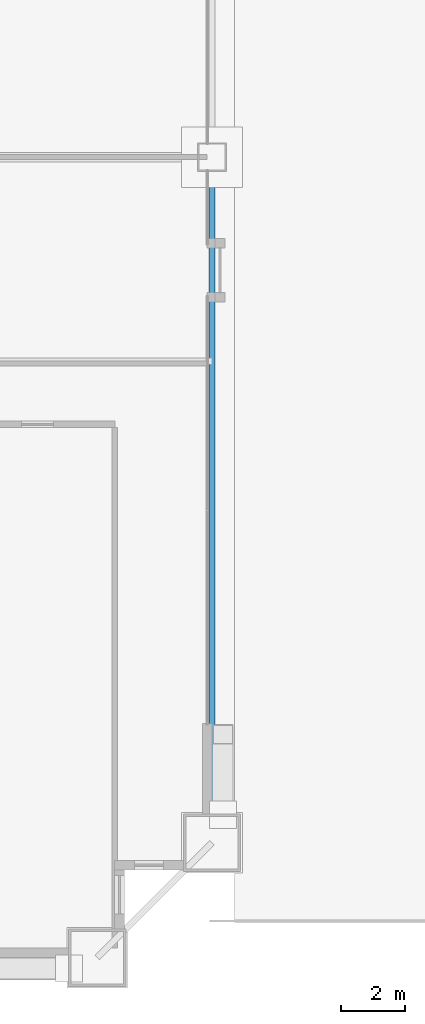
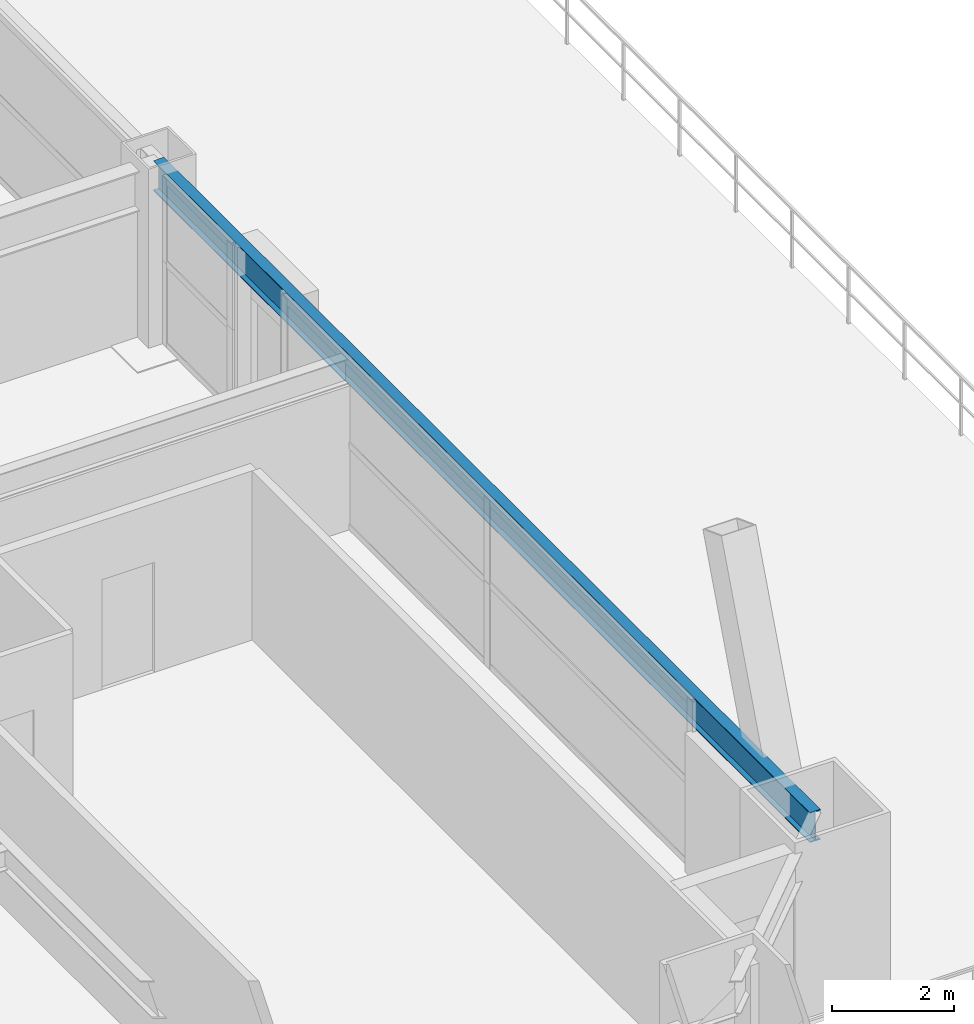
# One storey, part 16 of 45: 1 beam.
"""IFC4 building model written with IfcOpenShell, lengths in metres."""

from ifc_helpers import new_model, si_unit, direction, frame, origin, origin_2d, place, context, subcontext, project, spatial, i_section, extrude, source, transform, mapped, material, material_profile, profile_set, type_object, element, save


model = new_model("IFC4")

# Units and contexts
model_context = context("Model", 3, precision=1e-05, world=origin(), true_north=direction((0.0, 1.0)))
body_context = subcontext(model_context, "Body", "Model", "MODEL_VIEW")
ifc_project = project(units=[si_unit("LENGTHUNIT", "METRE"), si_unit("AREAUNIT", "SQUARE_METRE"), si_unit("VOLUMEUNIT", "CUBIC_METRE"), si_unit("PLANEANGLEUNIT", "RADIAN"), si_unit("MASSUNIT", "GRAM", prefix="KILO"), si_unit("THERMODYNAMICTEMPERATUREUNIT", "KELVIN"), si_unit("POWERUNIT", "WATT")], contexts=[model_context])

# Site, building, storey
site_placement = place(None, origin())
site = spatial("IfcSite", under=ifc_project, at=site_placement, CompositionType="ELEMENT")
building_placement = place(site_placement, origin())
building = spatial("IfcBuilding", under=site, at=building_placement, Name="Yuzanri Waterfront Tower", CompositionType="ELEMENT")
storey_placement = place(building_placement, frame((0.0, 0.0, 30.60009765625)))
storey = spatial("IfcBuildingStorey", under=building, at=storey_placement, Name="L07", CompositionType="ELEMENT", Elevation=30.60009765625)

# Beam
ifc_material = material(Name="Steel Q355B", Category="steel")
ifc_material_profile = material_profile(ifc_material, i_section(OverallWidth=0.199951171875, OverallDepth=0.60009765625, WebThickness=0.010986328125, FlangeThickness=0.01708984375, at=origin_2d()), Name="HN 600x200x11x17")
ifc_profile_set = profile_set([ifc_material_profile], Name="Steel Q355B")
beam_type = type_object("IfcBeamType", Name="Perimeter Spandrel Q355B HN 600x200", PredefinedType="SPANDREL", material=ifc_profile_set)
shared_shape = source(origin(), body_context, "Body", "SweptSolid", [
    extrude(i_section(OverallWidth=0.199951171875, OverallDepth=0.60009765625, WebThickness=0.010986328125, FlangeThickness=0.01708984375, at=origin_2d()), origin(), (0.0, 0.0, 1.0), 21.5),
])
beam_placement = place(storey_placement, frame((62.10009765625, 4.300048828125, 3.079833984375), z_axis=(0.0, 1.0, 0.0), x_axis=(-1.0, 0.0, 0.0)))
element("IfcBeam", 1, at=beam_placement, inside=storey, type_object=beam_type, Name="L07 Perimeter Spandrel E1-E2", PredefinedType="SPANDREL", context=body_context, shape_type="MappedRepresentation", body=[
    mapped(shared_shape, transform((0.0, 0.0, 0.0), scale=1.0)),
])

save(model, "model.ifc")
